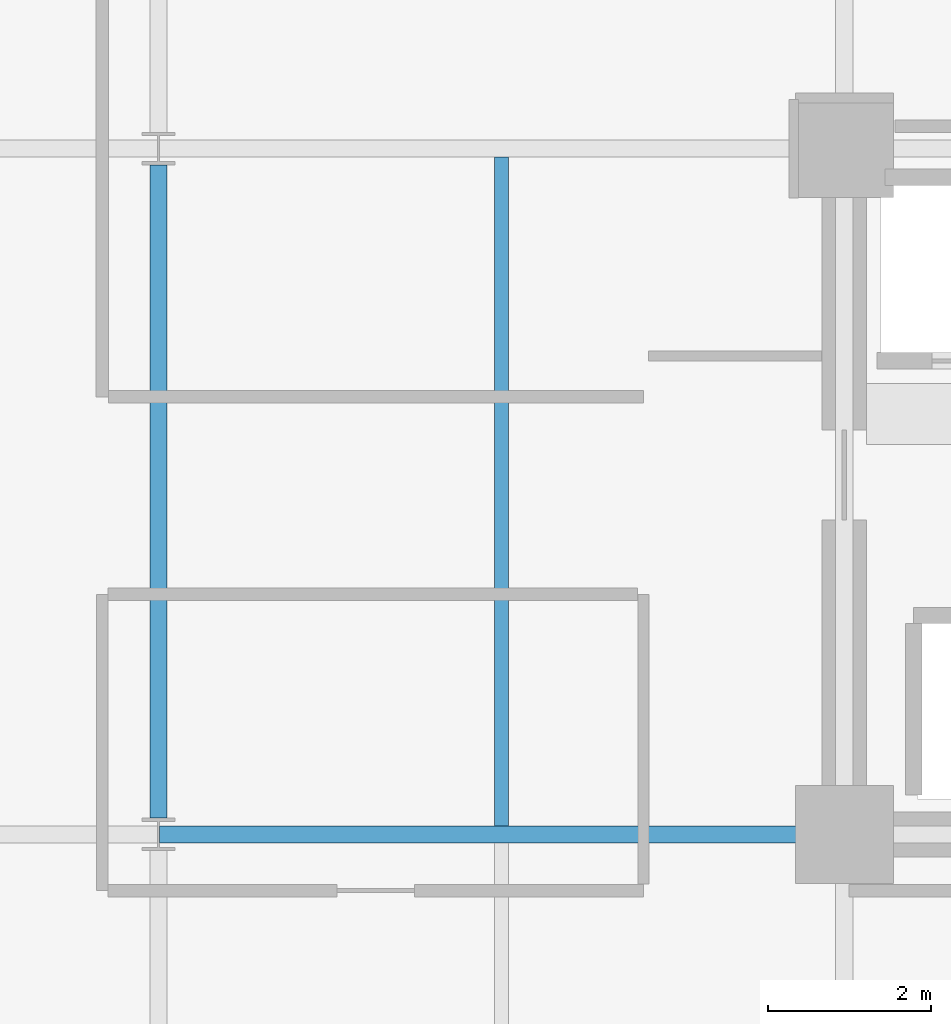
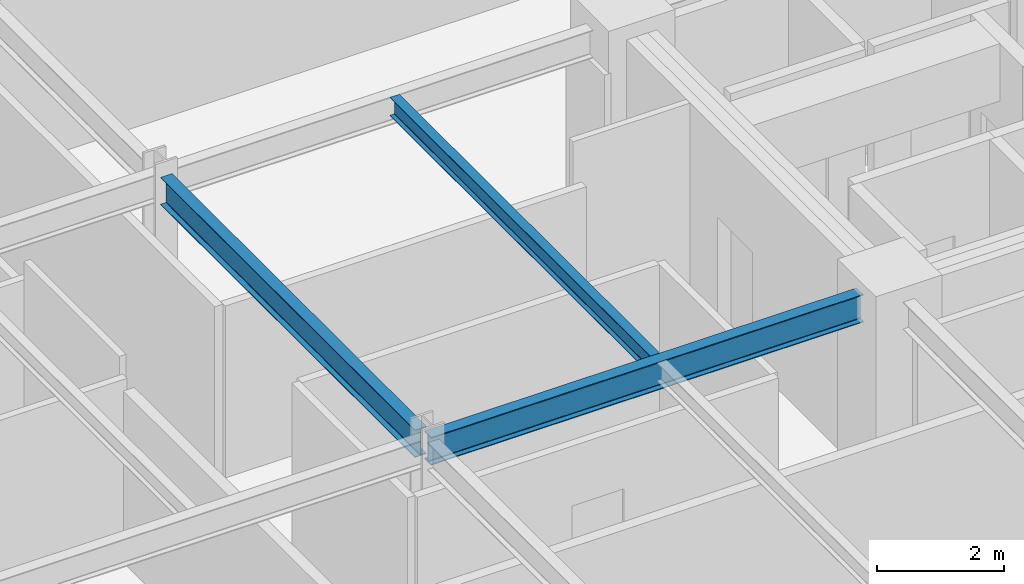
# One storey, part 5 of 29: 3 beams.
"""IFC4 building model written with IfcOpenShell, lengths in metres."""

from ifc_helpers import new_model, si_unit, direction, frame, origin, origin_2d, place, context, subcontext, project, spatial, i_section, extrude, material, material_profile, profile_set, type_object, element, save


model = new_model("IFC4")

# Units and contexts
model_context = context("Model", 3, precision=1e-05, world=origin(), true_north=direction((0.0, 1.0)))
body_context = subcontext(model_context, "Body", "Model", "MODEL_VIEW")
ifc_project = project(units=[si_unit("LENGTHUNIT", "METRE"), si_unit("AREAUNIT", "SQUARE_METRE"), si_unit("VOLUMEUNIT", "CUBIC_METRE"), si_unit("PLANEANGLEUNIT", "RADIAN"), si_unit("MASSUNIT", "GRAM", prefix="KILO")], contexts=[model_context])

# Site, building, storey
site_placement = place(None, origin())
site = spatial("IfcSite", under=ifc_project, at=site_placement, CompositionType="ELEMENT")
building_placement = place(site_placement, origin())
building = spatial("IfcBuilding", under=site, at=building_placement, Name="Nerrivon Quay Data Exchange", CompositionType="ELEMENT")
storey_placement = place(building_placement, frame((0.0, 0.0, 137.699951171875)))
storey = spatial("IfcBuildingStorey", under=building, at=storey_placement, Name="L32", CompositionType="ELEMENT", Elevation=137.699951171875)

# Beams
ifc_material = material(Name="Steel Grade 350", Category="steel")
ifc_material_profile_1 = material_profile(ifc_material, i_section(OverallWidth=0.208984375, OverallDepth=0.532958984375, WebThickness=0.01025390625, FlangeThickness=0.015625, FilletRadius=0.013916015625, at=origin_2d()), Name="530UB92.4")
ifc_profile_set_1 = profile_set([ifc_material_profile_1], Name="Steel Grade 350")
beam_type_1 = type_object("IfcBeamType", Name="BM-G3-530UB92", PredefinedType="BEAM", material=ifc_profile_set_1)
beam_1_placement = place(storey_placement, frame((8.41259765625, 8.39990234375, 3.55859375), z_axis=(1.0, 0.0, 0.0), x_axis=(0.0, 1.0, 0.0)))
element("IfcBeam", 1, at=beam_1_placement, inside=storey, type_object=beam_type_1, Name="L32 EW Girder Y=8.4 (8.4..16.8)", PredefinedType="BEAM", context=body_context, shape_type="SweptSolid", body=[
    extrude(i_section(OverallWidth=0.208984375, OverallDepth=0.532958984375, WebThickness=0.01025390625, FlangeThickness=0.015625, FilletRadius=0.013916015625, at=origin_2d()), origin(), (0.0, 0.0, 1.0), 7.847412109375),
])
ifc_material_profile_2 = material_profile(ifc_material, i_section(OverallWidth=0.208984375, OverallDepth=0.528076171875, WebThickness=0.009521484375, FlangeThickness=0.01318359375, FilletRadius=0.013916015625, at=origin_2d()), Name="530UB82.0")
ifc_profile_set_2 = profile_set([ifc_material_profile_2], Name="Steel Grade 350")
beam_type_2 = type_object("IfcBeamType", Name="BM-G4-530UB82", PredefinedType="BEAM", material=ifc_profile_set_2)
beam_2_placement = place(storey_placement, frame((8.39990234375, 8.60009765625, 3.56103515625), z_axis=(0.0, 1.0, 0.0), x_axis=(-1.0, 0.0, 0.0)))
element("IfcBeam", 2, at=beam_2_placement, inside=storey, type_object=beam_type_2, Name="L32 NS Girder X=8.4 (8.4..16.8)", PredefinedType="BEAM", context=body_context, shape_type="SweptSolid", body=[
    extrude(i_section(OverallWidth=0.208984375, OverallDepth=0.528076171875, WebThickness=0.009521484375, FlangeThickness=0.01318359375, FilletRadius=0.013916015625, at=origin_2d()), origin(), (0.0, 0.0, 1.0), 8.0),
])
ifc_material_profile_3 = material_profile(ifc_material, i_section(OverallWidth=0.1708984375, OverallDepth=0.35595703125, WebThickness=0.00732421875, FlangeThickness=0.011474609375, FilletRadius=0.011474609375, at=origin_2d()), Name="360UB50.7")
ifc_profile_set_3 = profile_set([ifc_material_profile_3], Name="Steel Grade 350")
beam_type_3 = type_object("IfcBeamType", Name="BM-J4-360UB51", PredefinedType="JOIST", material=ifc_profile_set_3)
beam_3_placement = place(storey_placement, frame((12.60009765625, 8.50439453125, 3.64697265625), z_axis=(0.0, 1.0, 0.0), x_axis=(-1.0, 0.0, 0.0)))
element("IfcBeam", 3, at=beam_3_placement, inside=storey, type_object=beam_type_3, Name="L32 Secondary Joist X=12.6 (8.4..16.8)", PredefinedType="JOIST", context=body_context, shape_type="SweptSolid", body=[
    extrude(i_section(OverallWidth=0.1708984375, OverallDepth=0.35595703125, WebThickness=0.00732421875, FlangeThickness=0.011474609375, FilletRadius=0.011474609375, at=origin_2d()), origin(), (0.0, 0.0, 1.0), 8.191162109375),
])

save(model, "model.ifc")
